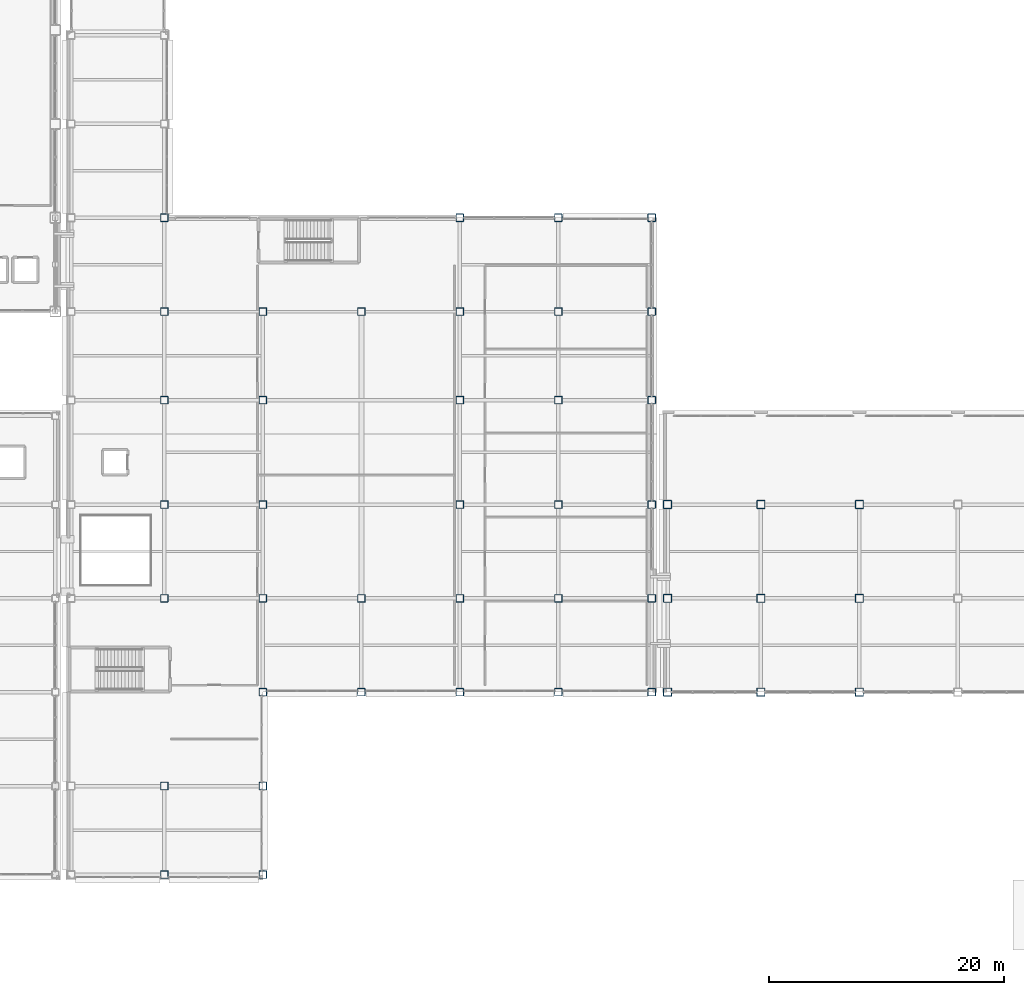
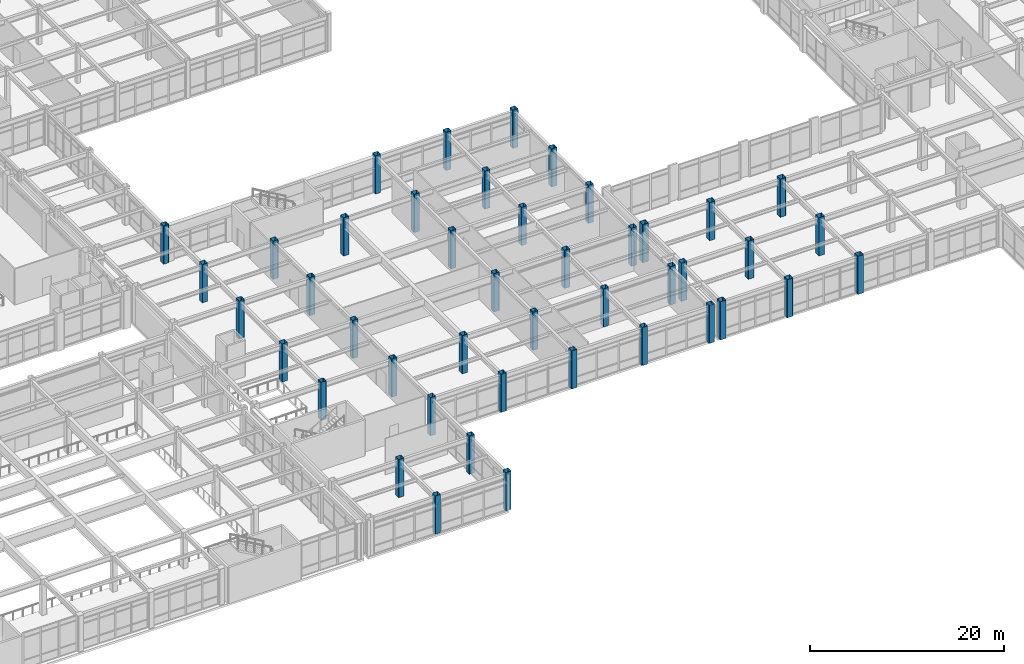
# One storey, part 2 of 172: 44 columns.
"""IFC4 building model written with IfcOpenShell, lengths in metres."""

from ifc_helpers import new_model, si_unit, direction, frame, origin, origin_2d, place, context, subcontext, project, spatial, hollow_rectangle, extrude, material, material_profile, profile_set, type_object, element, save


model = new_model("IFC4")

# Units and contexts
model_context = context("Model", 3, precision=1e-05, world=origin(), true_north=direction((0.0, 1.0)))
body_context = subcontext(model_context, "Body", "Model", "MODEL_VIEW")
ifc_project = project(units=[si_unit("LENGTHUNIT", "METRE"), si_unit("AREAUNIT", "SQUARE_METRE"), si_unit("VOLUMEUNIT", "CUBIC_METRE"), si_unit("PLANEANGLEUNIT", "RADIAN"), si_unit("MASSUNIT", "GRAM", prefix="KILO")], contexts=[model_context])

# Site, building, storey
site_placement = place(None, origin())
site = spatial("IfcSite", under=ifc_project, at=site_placement, CompositionType="ELEMENT")
building_placement = place(site_placement, origin())
building = spatial("IfcBuilding", under=site, at=building_placement, Name="Kazehara Bluff Congress Hotel", CompositionType="ELEMENT")
storey_placement = place(building_placement, frame((0.0, 0.0, 5.39990234375)))
storey = spatial("IfcBuildingStorey", under=building, at=storey_placement, Name="L01", CompositionType="ELEMENT", Elevation=5.39990234375)

# Columns
ifc_material_1 = material(Name="Steel BCR295", Category="steel")
ifc_material_profile_1 = material_profile(ifc_material_1, hollow_rectangle(XDim=0.699951171875, YDim=0.699951171875, WallThickness=0.028076171875, InnerFilletRadius=0.028076171875, OuterFilletRadius=0.055908203125, at=origin_2d()))
ifc_profile_set_1 = profile_set([ifc_material_profile_1], Name="Steel BCR295")
column_type_1 = type_object("IfcColumnType", Name="TP-C-03", PredefinedType="COLUMN", material=ifc_profile_set_1)
for number, where, z_axis, x_axis, name in (
    (1, (110.550048828125, 16.0, 0.0), (0.0, 0.0, 1.0), (1.0, 0.0, 0.0), "L01 column C-03 (110.55,16.00)"),
    (2, (110.550048828125, 24.0, 0.0), (0.0, 0.0, 1.0), (1.0, 0.0, 0.0), "L01 column C-03 (110.55,24.00)"),
    (3, (110.550048828125, 32.0, 0.0), (0.0, 0.0, 1.0), (1.0, 0.0, 0.0), "L01 column C-03 (110.55,32.00)"),
    (4, (118.5, 16.0, 0.0), (0.0, 0.0, 1.0), (1.0, 0.0, 0.0), "L01 column C-03 (118.50,16.00)"),
    (5, (118.5, 24.0, 0.0), (0.0, 0.0, 1.0), (1.0, 0.0, 0.0), "L01 column C-03 (118.50,24.00)"),
    (6, (118.5, 32.0, 0.0), (0.0, 0.0, 1.0), (1.0, 0.0, 0.0), "L01 column C-03 (118.50,32.00)"),
    (7, (126.89990234375, 16.0, 0.0), (0.0, 0.0, 1.0), (1.0, 0.0, 0.0), "L01 column C-03 (126.90,16.00)"),
    (8, (126.89990234375, 24.0, 0.0), (0.0, 0.0, 1.0), (1.0, 0.0, 0.0), "L01 column C-03 (126.90,24.00)"),
    (9, (126.89990234375, 32.0, 0.0), (0.0, 0.0, 1.0), (1.0, 0.0, 0.0), "L01 column C-03 (126.90,32.00)"),
):
    element("IfcColumn", number, at=place(storey_placement, frame(where, z_axis=z_axis, x_axis=x_axis)), inside=storey, type_object=column_type_1, Name=name, PredefinedType="COLUMN", context=body_context, shape_type="SweptSolid", body=[
        extrude(hollow_rectangle(XDim=0.699951171875, YDim=0.699951171875, WallThickness=0.028076171875, InnerFilletRadius=0.028076171875, OuterFilletRadius=0.055908203125, at=origin_2d()), origin(), (0.0, 0.0, 1.0), 4.800048828125),
    ])
ifc_material_2 = material(Name="Steel BCR295", Category="steel")
ifc_material_profile_2 = material_profile(ifc_material_2, hollow_rectangle(XDim=0.64990234375, YDim=0.64990234375, WallThickness=0.02490234375, InnerFilletRadius=0.02490234375, OuterFilletRadius=0.050048828125, at=origin_2d()))
ifc_profile_set_2 = profile_set([ifc_material_profile_2], Name="Steel BCR295")
column_type_2 = type_object("IfcColumnType", Name="TP-C-04", PredefinedType="COLUMN", material=ifc_profile_set_2)
for number, where, z_axis, x_axis, name in (
    (10, (67.64990234375, 0.449951171875, 0.0), (0.0, 0.0, 1.0), (1.0, 0.0, 0.0), "L01 column C-04 (67.65,0.45)"),
    (11, (67.64990234375, 8.0, 0.0), (0.0, 0.0, 1.0), (1.0, 0.0, 0.0), "L01 column C-04 (67.65,8.00)"),
    (12, (67.64990234375, 24.0, 0.0), (0.0, 0.0, 1.0), (1.0, 0.0, 0.0), "L01 column C-04 (67.65,24.00)"),
    (13, (67.64990234375, 32.0, 0.0), (0.0, 0.0, 1.0), (1.0, 0.0, 0.0), "L01 column C-04 (67.65,32.00)"),
    (14, (67.64990234375, 40.89990234375, 0.0), (0.0, 0.0, 1.0), (1.0, 0.0, 0.0), "L01 column C-04 (67.65,40.90)"),
    (15, (67.64990234375, 48.449951171875, 0.0), (0.0, 0.0, 1.0), (1.0, 0.0, 0.0), "L01 column C-04 (67.65,48.45)"),
    (16, (67.64990234375, 56.449951171875, 0.0), (0.0, 0.0, 1.0), (1.0, 0.0, 0.0), "L01 column C-04 (67.65,56.45)"),
    (17, (76.050048828125, 0.449951171875, 0.0), (0.0, 0.0, 1.0), (1.0, 0.0, 0.0), "L01 column C-04 (76.05,0.45)"),
    (18, (76.050048828125, 8.0, 0.0), (0.0, 0.0, 1.0), (1.0, 0.0, 0.0), "L01 column C-04 (76.05,8.00)"),
    (19, (76.050048828125, 16.0, 0.0), (0.0, 0.0, 1.0), (1.0, 0.0, 0.0), "L01 column C-04 (76.05,16.00)"),
    (20, (76.050048828125, 24.0, 0.0), (0.0, 0.0, 1.0), (1.0, 0.0, 0.0), "L01 column C-04 (76.05,24.00)"),
    (21, (76.050048828125, 32.0, 0.0), (0.0, 0.0, 1.0), (1.0, 0.0, 0.0), "L01 column C-04 (76.05,32.00)"),
    (22, (76.050048828125, 40.89990234375, 0.0), (0.0, 0.0, 1.0), (1.0, 0.0, 0.0), "L01 column C-04 (76.05,40.90)"),
    (23, (76.050048828125, 48.449951171875, 0.0), (0.0, 0.0, 1.0), (1.0, 0.0, 0.0), "L01 column C-04 (76.05,48.45)"),
    (24, (84.449951171875, 16.0, 0.0), (0.0, 0.0, 1.0), (1.0, 0.0, 0.0), "L01 column C-04 (84.45,16.00)"),
    (25, (84.449951171875, 24.0, 0.0), (0.0, 0.0, 1.0), (1.0, 0.0, 0.0), "L01 column C-04 (84.45,24.00)"),
    (26, (84.449951171875, 48.449951171875, 0.0), (0.0, 0.0, 1.0), (1.0, 0.0, 0.0), "L01 column C-04 (84.45,48.45)"),
    (27, (92.85009765625, 16.0, 0.0), (0.0, 0.0, 1.0), (1.0, 0.0, 0.0), "L01 column C-04 (92.85,16.00)"),
    (28, (92.85009765625, 24.0, 0.0), (0.0, 0.0, 1.0), (1.0, 0.0, 0.0), "L01 column C-04 (92.85,24.00)"),
    (29, (92.85009765625, 32.0, 0.0), (0.0, 0.0, 1.0), (1.0, 0.0, 0.0), "L01 column C-04 (92.85,32.00)"),
    (30, (92.85009765625, 40.89990234375, 0.0), (0.0, 0.0, 1.0), (1.0, 0.0, 0.0), "L01 column C-04 (92.85,40.90)"),
    (31, (92.85009765625, 48.449951171875, 0.0), (0.0, 0.0, 1.0), (1.0, 0.0, 0.0), "L01 column C-04 (92.85,48.45)"),
    (32, (92.85009765625, 56.449951171875, 0.0), (0.0, 0.0, 1.0), (1.0, 0.0, 0.0), "L01 column C-04 (92.85,56.45)"),
    (33, (101.25, 16.0, 0.0), (0.0, 0.0, 1.0), (1.0, 0.0, 0.0), "L01 column C-04 (101.25,16.00)"),
    (34, (101.25, 24.0, 0.0), (0.0, 0.0, 1.0), (1.0, 0.0, 0.0), "L01 column C-04 (101.25,24.00)"),
    (35, (101.25, 32.0, 0.0), (0.0, 0.0, 1.0), (1.0, 0.0, 0.0), "L01 column C-04 (101.25,32.00)"),
    (36, (101.25, 40.89990234375, 0.0), (0.0, 0.0, 1.0), (1.0, 0.0, 0.0), "L01 column C-04 (101.25,40.90)"),
    (37, (101.25, 48.449951171875, 0.0), (0.0, 0.0, 1.0), (1.0, 0.0, 0.0), "L01 column C-04 (101.25,48.45)"),
    (38, (101.25, 56.449951171875, 0.0), (0.0, 0.0, 1.0), (1.0, 0.0, 0.0), "L01 column C-04 (101.25,56.45)"),
    (39, (109.199951171875, 16.0, 0.0), (0.0, 0.0, 1.0), (1.0, 0.0, 0.0), "L01 column C-04 (109.20,16.00)"),
    (40, (109.199951171875, 24.0, 0.0), (0.0, 0.0, 1.0), (1.0, 0.0, 0.0), "L01 column C-04 (109.20,24.00)"),
    (41, (109.199951171875, 32.0, 0.0), (0.0, 0.0, 1.0), (1.0, 0.0, 0.0), "L01 column C-04 (109.20,32.00)"),
    (42, (109.199951171875, 40.89990234375, 0.0), (0.0, 0.0, 1.0), (1.0, 0.0, 0.0), "L01 column C-04 (109.20,40.90)"),
    (43, (109.199951171875, 48.449951171875, 0.0), (0.0, 0.0, 1.0), (1.0, 0.0, 0.0), "L01 column C-04 (109.20,48.45)"),
    (44, (109.199951171875, 56.449951171875, 0.0), (0.0, 0.0, 1.0), (1.0, 0.0, 0.0), "L01 column C-04 (109.20,56.45)"),
):
    element("IfcColumn", number, at=place(storey_placement, frame(where, z_axis=z_axis, x_axis=x_axis)), inside=storey, type_object=column_type_2, Name=name, PredefinedType="COLUMN", context=body_context, shape_type="SweptSolid", body=[
        extrude(hollow_rectangle(XDim=0.64990234375, YDim=0.64990234375, WallThickness=0.02490234375, InnerFilletRadius=0.02490234375, OuterFilletRadius=0.050048828125, at=origin_2d()), origin(), (0.0, 0.0, 1.0), 4.800048828125),
    ])

save(model, "model.ifc")
